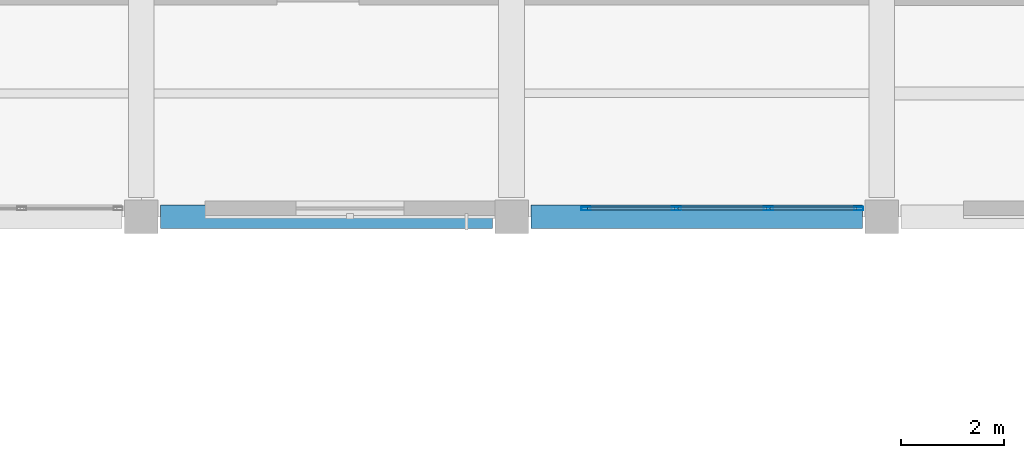
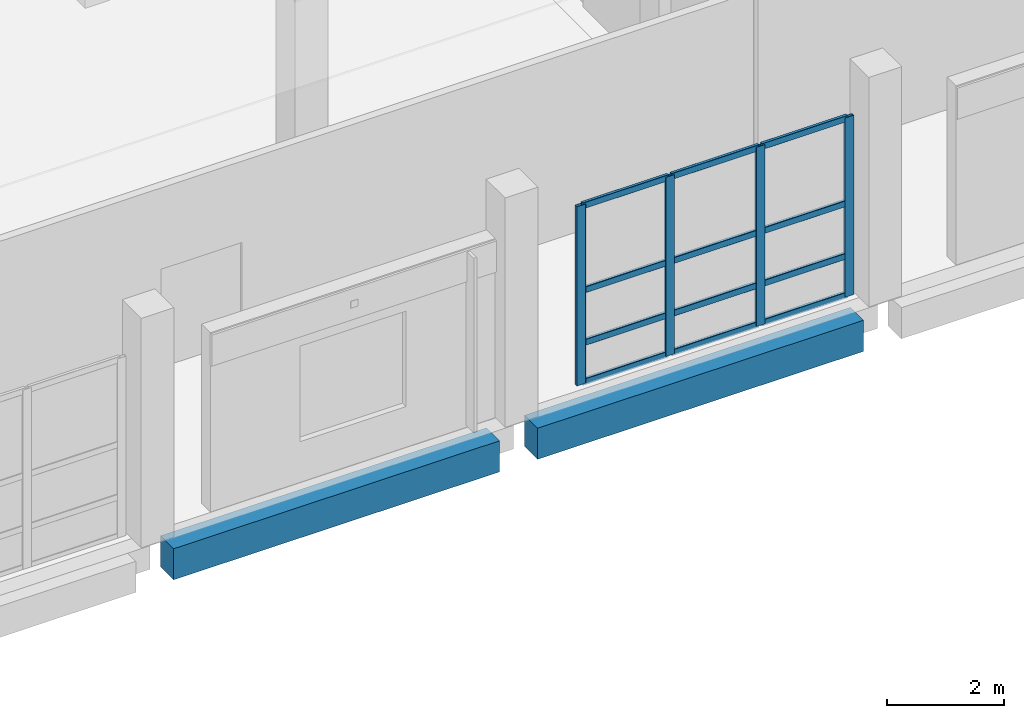
# One storey, part 54 of 127: 16 members, 2 beams, 1 element without a shape of its own.
"""IFC4 building model written with IfcOpenShell, lengths in metres."""

from ifc_helpers import new_model, si_unit, direction, frame, origin, origin_2d, place, context, subcontext, project, spatial, rectangle, hollow_rectangle, extrude, material, material_profile, profile_set, type_object, element, aggregate, save


model = new_model("IFC4")

# Units and contexts
model_context = context("Model", 3, precision=1e-05, world=origin(), true_north=direction((0.0, 1.0)))
body_context = subcontext(model_context, "Body", "Model", "MODEL_VIEW")
ifc_project = project(units=[si_unit("LENGTHUNIT", "METRE"), si_unit("AREAUNIT", "SQUARE_METRE"), si_unit("VOLUMEUNIT", "CUBIC_METRE"), si_unit("PLANEANGLEUNIT", "RADIAN"), si_unit("MASSUNIT", "GRAM", prefix="KILO")], contexts=[model_context])

# Site, building, storey
site_placement = place(None, origin())
site = spatial("IfcSite", under=ifc_project, at=site_placement, CompositionType="ELEMENT")
building_placement = place(site_placement, origin())
building = spatial("IfcBuilding", under=site, at=building_placement, Name="Kalmorath City Hall", CompositionType="ELEMENT")
storey_placement = place(building_placement, frame((0.0, 0.0, 5.39990234375)))
storey = spatial("IfcBuildingStorey", under=building, at=storey_placement, Name="L01", CompositionType="ELEMENT", Elevation=5.39990234375)

# Beams
ifc_material_1 = material(Name="Concrete C40/50", Category="concrete")
ifc_material_profile_1 = material_profile(ifc_material_1, rectangle(XDim=0.449951171875, YDim=0.64990234375, at=origin_2d()), Name="RC-BM-450X650")
ifc_profile_set_1 = profile_set([ifc_material_profile_1], Name="Concrete C40/50")
beam_type = type_object("IfcBeamType", Name="Concrete spandrel beam 450x650", PredefinedType="SPANDREL", material=ifc_profile_set_1)
beam_1_placement = place(storey_placement, frame((79.574951171875, 93.60009765625, -0.64892578125), z_axis=(1.0, 0.0, 0.0), x_axis=(0.0, 1.0, 0.0)))
element("IfcBeam", 1, at=beam_1_placement, inside=storey, type_object=beam_type, Name="L01 girder CB5 X12-13/14", PredefinedType="SPANDREL", context=body_context, shape_type="SweptSolid", body=[
    extrude(rectangle(XDim=0.449951171875, YDim=0.64990234375, at=origin_2d()), origin(), (0.0, 0.0, 1.0), 6.449951171875),
])
beam_2_placement = place(storey_placement, frame((86.77490234375, 93.60009765625, -0.64892578125), z_axis=(1.0, 0.0, 0.0), x_axis=(0.0, 1.0, 0.0)))
element("IfcBeam", 2, at=beam_2_placement, inside=storey, type_object=beam_type, Name="L01 girder CB5 X13-14/14", PredefinedType="SPANDREL", context=body_context, shape_type="SweptSolid", body=[
    extrude(rectangle(XDim=0.449951171875, YDim=0.64990234375, at=origin_2d()), origin(), (0.0, 0.0, 1.0), 6.4501953125),
])

# Curtain wall, members
ifc_material_2 = material(Name="Anodised aluminium and laminated glass", Category="aluminium")
curtain_wall_type = type_object("IfcCurtainWallType", Name="Unitised hurricane curtain wall 5370x3751 M1750", PredefinedType="NOTDEFINED", material=ifc_material_2)
curtain_wall_placement = place(storey_placement, origin())
curtain_wall = element("IfcCurtainWall", 3, at=curtain_wall_placement, inside=storey, type_object=curtain_wall_type, Name="L01 curtain wall CW-54X38M18 #103", PredefinedType="NOTDEFINED")
ifc_material_3 = material(Name="Anodised aluminium framing", Category="aluminium")
ifc_material_profile_2 = material_profile(ifc_material_3, hollow_rectangle(XDim=0.06494140625, YDim=0.179931640625, WallThickness=0.00390625, InnerFilletRadius=0.00390625, OuterFilletRadius=0.008056640625, at=origin_2d()), Name="ALU-MUL-180X65X4")
ifc_profile_set_2 = profile_set([ifc_material_profile_2], Name="Anodised aluminium framing")
member_type_1 = type_object("IfcMemberType", Name="Curtain-wall courtyard mullion 180x65", PredefinedType="MULLION", material=ifc_profile_set_2)
member_1_placement = place(storey_placement, frame((93.152587890625, 93.760009765625, 0.0), z_axis=(0.0, 0.0, 1.0), x_axis=(0.0, -1.0, 0.0)))
member_1 = element("IfcMember", 4, at=member_1_placement, type_object=member_type_1, Name="CW-54X38M18 mullion 1", PredefinedType="MULLION", context=body_context, shape_type="SweptSolid", body=[
    extrude(hollow_rectangle(XDim=0.06494140625, YDim=0.179931640625, WallThickness=0.00390625, InnerFilletRadius=0.00390625, OuterFilletRadius=0.008056640625, at=origin_2d()), origin(), (0.0, 0.0, 1.0), 3.7509765625),
])
member_2_placement = place(storey_placement, frame((91.39501953125, 93.760009765625, 0.0), z_axis=(0.0, 0.0, 1.0), x_axis=(0.0, -1.0, 0.0)))
member_2 = element("IfcMember", 5, at=member_2_placement, type_object=member_type_1, Name="CW-54X38M18 mullion 2", PredefinedType="MULLION", context=body_context, shape_type="SweptSolid", body=[
    extrude(hollow_rectangle(XDim=0.06494140625, YDim=0.179931640625, WallThickness=0.00390625, InnerFilletRadius=0.00390625, OuterFilletRadius=0.008056640625, at=origin_2d()), origin(), (0.0, 0.0, 1.0), 3.7509765625),
])
member_3_placement = place(storey_placement, frame((89.605224609375, 93.760009765625, 0.0), z_axis=(0.0, 0.0, 1.0), x_axis=(0.0, -1.0, 0.0)))
member_3 = element("IfcMember", 6, at=member_3_placement, type_object=member_type_1, Name="CW-54X38M18 mullion 3", PredefinedType="MULLION", context=body_context, shape_type="SweptSolid", body=[
    extrude(hollow_rectangle(XDim=0.06494140625, YDim=0.179931640625, WallThickness=0.00390625, InnerFilletRadius=0.00390625, OuterFilletRadius=0.008056640625, at=origin_2d()), origin(), (0.0, 0.0, 1.0), 3.7509765625),
])
member_4_placement = place(storey_placement, frame((87.84765625, 93.760009765625, 0.0), z_axis=(0.0, 0.0, 1.0), x_axis=(0.0, -1.0, 0.0)))
member_4 = element("IfcMember", 7, at=member_4_placement, type_object=member_type_1, Name="CW-54X38M18 mullion 4", PredefinedType="MULLION", context=body_context, shape_type="SweptSolid", body=[
    extrude(hollow_rectangle(XDim=0.06494140625, YDim=0.179931640625, WallThickness=0.00390625, InnerFilletRadius=0.00390625, OuterFilletRadius=0.008056640625, at=origin_2d()), origin(), (0.0, 0.0, 1.0), 3.7509765625),
])
ifc_material_4 = material(Name="Anodised aluminium framing", Category="aluminium")
ifc_material_profile_3 = material_profile(ifc_material_4, hollow_rectangle(XDim=0.06005859375, YDim=0.1298828125, WallThickness=0.00341796875, InnerFilletRadius=0.00341796875, OuterFilletRadius=0.007080078125, at=origin_2d()), Name="ALU-TRN-130X60X3.5")
ifc_profile_set_3 = profile_set([ifc_material_profile_3], Name="Anodised aluminium framing")
member_type_2 = type_object("IfcMemberType", Name="Curtain-wall courtyard transom 130x60", PredefinedType="USERDEFINED", material=ifc_profile_set_3)
member_5_placement = place(storey_placement, frame((93.1201171875, 93.760009765625, 0.030029296875), z_axis=(-1.0, 0.0, 0.0), x_axis=(0.0, -1.0, 0.0)))
member_5 = element("IfcMember", 8, at=member_5_placement, type_object=member_type_2, Name="CW-54X38M18 transom 1.1", ObjectType="TRANSOM", PredefinedType="USERDEFINED", context=body_context, shape_type="SweptSolid", body=[
    extrude(hollow_rectangle(XDim=0.06005859375, YDim=0.1298828125, WallThickness=0.00341796875, InnerFilletRadius=0.00341796875, OuterFilletRadius=0.007080078125, at=origin_2d()), origin(), (0.0, 0.0, 1.0), 1.692626953125),
])
member_6_placement = place(storey_placement, frame((93.1201171875, 93.760009765625, 0.85009765625), z_axis=(-1.0, 0.0, 0.0), x_axis=(0.0, -1.0, 0.0)))
member_6 = element("IfcMember", 9, at=member_6_placement, type_object=member_type_2, Name="CW-54X38M18 transom 1.2", ObjectType="TRANSOM", PredefinedType="USERDEFINED", context=body_context, shape_type="SweptSolid", body=[
    extrude(hollow_rectangle(XDim=0.06005859375, YDim=0.1298828125, WallThickness=0.00341796875, InnerFilletRadius=0.00341796875, OuterFilletRadius=0.007080078125, at=origin_2d()), origin(), (0.0, 0.0, 1.0), 1.692626953125),
])
member_7_placement = place(storey_placement, frame((93.1201171875, 93.760009765625, 1.951171875), z_axis=(-1.0, 0.0, 0.0), x_axis=(0.0, -1.0, 0.0)))
member_7 = element("IfcMember", 10, at=member_7_placement, type_object=member_type_2, Name="CW-54X38M18 transom 1.3", ObjectType="TRANSOM", PredefinedType="USERDEFINED", context=body_context, shape_type="SweptSolid", body=[
    extrude(hollow_rectangle(XDim=0.06005859375, YDim=0.1298828125, WallThickness=0.00341796875, InnerFilletRadius=0.00341796875, OuterFilletRadius=0.007080078125, at=origin_2d()), origin(), (0.0, 0.0, 1.0), 1.692626953125),
])
member_8_placement = place(storey_placement, frame((93.1201171875, 93.760009765625, 3.72119140625), z_axis=(-1.0, 0.0, 0.0), x_axis=(0.0, -1.0, 0.0)))
member_8 = element("IfcMember", 11, at=member_8_placement, type_object=member_type_2, Name="CW-54X38M18 transom 1.4", ObjectType="TRANSOM", PredefinedType="USERDEFINED", context=body_context, shape_type="SweptSolid", body=[
    extrude(hollow_rectangle(XDim=0.06005859375, YDim=0.1298828125, WallThickness=0.00341796875, InnerFilletRadius=0.00341796875, OuterFilletRadius=0.007080078125, at=origin_2d()), origin(), (0.0, 0.0, 1.0), 1.692626953125),
])
member_9_placement = place(storey_placement, frame((91.362548828125, 93.760009765625, 0.030029296875), z_axis=(-1.0, 0.0, 0.0), x_axis=(0.0, -1.0, 0.0)))
member_9 = element("IfcMember", 12, at=member_9_placement, type_object=member_type_2, Name="CW-54X38M18 transom 2.1", ObjectType="TRANSOM", PredefinedType="USERDEFINED", context=body_context, shape_type="SweptSolid", body=[
    extrude(hollow_rectangle(XDim=0.06005859375, YDim=0.1298828125, WallThickness=0.00341796875, InnerFilletRadius=0.00341796875, OuterFilletRadius=0.007080078125, at=origin_2d()), origin(), (0.0, 0.0, 1.0), 1.724853515625),
])
member_10_placement = place(storey_placement, frame((91.362548828125, 93.760009765625, 0.85009765625), z_axis=(-1.0, 0.0, 0.0), x_axis=(0.0, -1.0, 0.0)))
member_10 = element("IfcMember", 13, at=member_10_placement, type_object=member_type_2, Name="CW-54X38M18 transom 2.2", ObjectType="TRANSOM", PredefinedType="USERDEFINED", context=body_context, shape_type="SweptSolid", body=[
    extrude(hollow_rectangle(XDim=0.06005859375, YDim=0.1298828125, WallThickness=0.00341796875, InnerFilletRadius=0.00341796875, OuterFilletRadius=0.007080078125, at=origin_2d()), origin(), (0.0, 0.0, 1.0), 1.724853515625),
])
member_11_placement = place(storey_placement, frame((91.362548828125, 93.760009765625, 1.951171875), z_axis=(-1.0, 0.0, 0.0), x_axis=(0.0, -1.0, 0.0)))
member_11 = element("IfcMember", 14, at=member_11_placement, type_object=member_type_2, Name="CW-54X38M18 transom 2.3", ObjectType="TRANSOM", PredefinedType="USERDEFINED", context=body_context, shape_type="SweptSolid", body=[
    extrude(hollow_rectangle(XDim=0.06005859375, YDim=0.1298828125, WallThickness=0.00341796875, InnerFilletRadius=0.00341796875, OuterFilletRadius=0.007080078125, at=origin_2d()), origin(), (0.0, 0.0, 1.0), 1.724853515625),
])
member_12_placement = place(storey_placement, frame((91.362548828125, 93.760009765625, 3.72119140625), z_axis=(-1.0, 0.0, 0.0), x_axis=(0.0, -1.0, 0.0)))
member_12 = element("IfcMember", 15, at=member_12_placement, type_object=member_type_2, Name="CW-54X38M18 transom 2.4", ObjectType="TRANSOM", PredefinedType="USERDEFINED", context=body_context, shape_type="SweptSolid", body=[
    extrude(hollow_rectangle(XDim=0.06005859375, YDim=0.1298828125, WallThickness=0.00341796875, InnerFilletRadius=0.00341796875, OuterFilletRadius=0.007080078125, at=origin_2d()), origin(), (0.0, 0.0, 1.0), 1.724853515625),
])
member_13_placement = place(storey_placement, frame((89.57275390625, 93.760009765625, 0.030029296875), z_axis=(-1.0, 0.0, 0.0), x_axis=(0.0, -1.0, 0.0)))
member_13 = element("IfcMember", 16, at=member_13_placement, type_object=member_type_2, Name="CW-54X38M18 transom 3.1", ObjectType="TRANSOM", PredefinedType="USERDEFINED", context=body_context, shape_type="SweptSolid", body=[
    extrude(hollow_rectangle(XDim=0.06005859375, YDim=0.1298828125, WallThickness=0.00341796875, InnerFilletRadius=0.00341796875, OuterFilletRadius=0.007080078125, at=origin_2d()), origin(), (0.0, 0.0, 1.0), 1.692626953125),
])
member_14_placement = place(storey_placement, frame((89.57275390625, 93.760009765625, 0.85009765625), z_axis=(-1.0, 0.0, 0.0), x_axis=(0.0, -1.0, 0.0)))
member_14 = element("IfcMember", 17, at=member_14_placement, type_object=member_type_2, Name="CW-54X38M18 transom 3.2", ObjectType="TRANSOM", PredefinedType="USERDEFINED", context=body_context, shape_type="SweptSolid", body=[
    extrude(hollow_rectangle(XDim=0.06005859375, YDim=0.1298828125, WallThickness=0.00341796875, InnerFilletRadius=0.00341796875, OuterFilletRadius=0.007080078125, at=origin_2d()), origin(), (0.0, 0.0, 1.0), 1.692626953125),
])
member_15_placement = place(storey_placement, frame((89.57275390625, 93.760009765625, 1.951171875), z_axis=(-1.0, 0.0, 0.0), x_axis=(0.0, -1.0, 0.0)))
member_15 = element("IfcMember", 18, at=member_15_placement, type_object=member_type_2, Name="CW-54X38M18 transom 3.3", ObjectType="TRANSOM", PredefinedType="USERDEFINED", context=body_context, shape_type="SweptSolid", body=[
    extrude(hollow_rectangle(XDim=0.06005859375, YDim=0.1298828125, WallThickness=0.00341796875, InnerFilletRadius=0.00341796875, OuterFilletRadius=0.007080078125, at=origin_2d()), origin(), (0.0, 0.0, 1.0), 1.692626953125),
])
member_16_placement = place(storey_placement, frame((89.57275390625, 93.760009765625, 3.72119140625), z_axis=(-1.0, 0.0, 0.0), x_axis=(0.0, -1.0, 0.0)))
member_16 = element("IfcMember", 19, at=member_16_placement, type_object=member_type_2, Name="CW-54X38M18 transom 3.4", ObjectType="TRANSOM", PredefinedType="USERDEFINED", context=body_context, shape_type="SweptSolid", body=[
    extrude(hollow_rectangle(XDim=0.06005859375, YDim=0.1298828125, WallThickness=0.00341796875, InnerFilletRadius=0.00341796875, OuterFilletRadius=0.007080078125, at=origin_2d()), origin(), (0.0, 0.0, 1.0), 1.692626953125),
])
aggregate(curtain_wall, [member_1, member_2, member_3, member_4, member_5, member_6, member_7, member_8, member_9, member_10, member_11, member_12, member_13, member_14, member_15, member_16])

save(model, "model.ifc")
